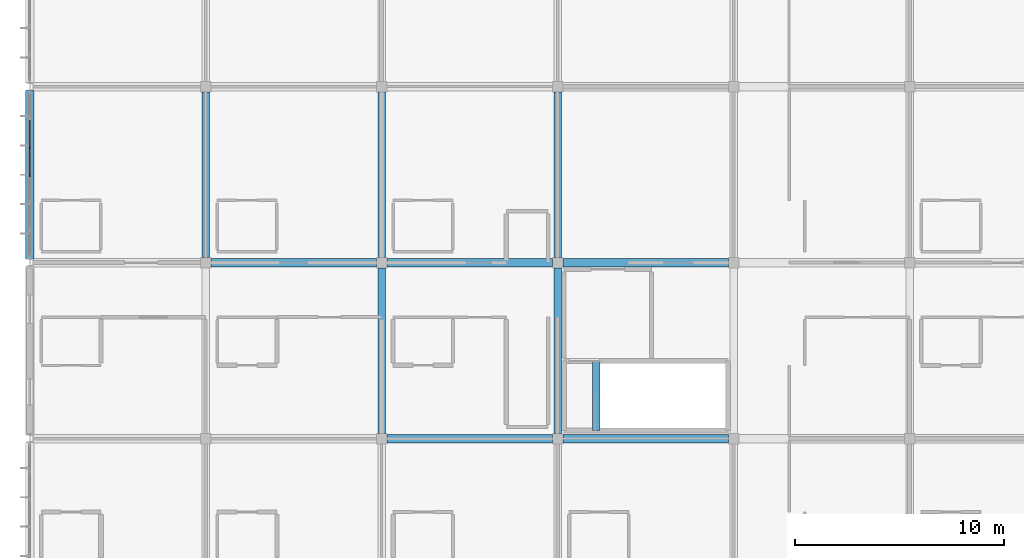
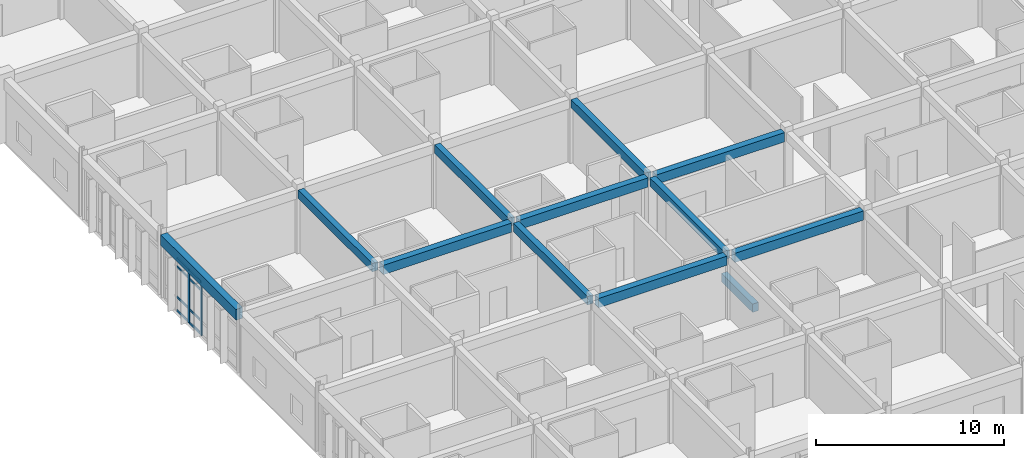
# One storey, part 12 of 144: 12 beams, 10 members, 1 element without a shape of its own.
"""IFC4 building model written with IfcOpenShell, lengths in metres."""

import ifcopenshell
import ifcopenshell.guid

model = None  # the IFC model being written
_history = None  # IfcOwnerHistory: only IFC2X3 demands one
_inside = {}  # id of a spatial element -> (the spatial element, [elements in it])
_under = {}  # id of a project, library or spatial element -> (it, [spatial elements below it])
_declared = {}  # id of a project -> (the project, [libraries it declares])
_typed = {}  # id of a type object -> (the type object, [elements of that type])
_made_of = {}  # id of a material, layer set ... -> (it, [elements and type objects made of it])


def new_model(schema):
    """Start an empty IFC model of exactly this schema.

    Asked for "IFC4X3", IfcOpenShell would pick the latest addendum, in which some entities
    have other attributes; the version numbers below select the first issue.
    IFC2X3 requires an IfcOwnerHistory on every rooted entity: one is made here for all.
    """
    global model, _history
    if schema == "IFC4X3":
        model = ifcopenshell.file(schema_version=(4, 3, 0, 0))
    else:
        model = ifcopenshell.file(schema=schema)
    _inside.clear()
    _under.clear()
    _declared.clear()
    _typed.clear()
    _made_of.clear()
    _history = None
    if model.schema == "IFC2X3":
        org = make("IfcOrganization", Name="unknown")
        user = make(
            "IfcPersonAndOrganization",
            ThePerson=make("IfcPerson", FamilyName="unknown"),
            TheOrganization=org,
        )
        app = make(
            "IfcApplication",
            ApplicationDeveloper=org,
            Version="unknown",
            ApplicationFullName="unknown",
            ApplicationIdentifier="unknown",
        )
        _history = make(
            "IfcOwnerHistory",
            OwningUser=user,
            OwningApplication=app,
            ChangeAction="ADDED",
            CreationDate=0,
        )
    return model


def make(cls, **values):
    """One entity of the class cls with the attributes given. An attribute that is None is left unset."""
    return model.create_entity(
        cls, **{name: value for name, value in values.items() if value is not None}
    )


def rooted(cls, **values):
    """An entity with a GlobalId (a new one), such as an element, a storey or a relation."""
    return make(cls, GlobalId=ifcopenshell.guid.new(), OwnerHistory=_history, **values)


def si_unit(unit_type, name, prefix=None):
    """IfcSIUnit, for example si_unit("LENGTHUNIT", "METRE", prefix="MILLI")."""
    return make("IfcSIUnit", UnitType=unit_type, Prefix=prefix, Name=name)


def assignment(units):
    """IfcUnitAssignment: the units of a project."""
    return None if units is None else make("IfcUnitAssignment", Units=units)


def point(xyz):
    """IfcCartesianPoint."""
    return None if xyz is None else make("IfcCartesianPoint", Coordinates=xyz)


def direction(xyz):
    """IfcDirection."""
    return None if xyz is None else make("IfcDirection", DirectionRatios=xyz)


def frame(location, z_axis=None, x_axis=None):
    """IfcAxis2Placement3D, a coordinate frame: its origin and axes. An axis left out is left unset."""
    return make(
        "IfcAxis2Placement3D",
        Location=point(location),
        Axis=direction(z_axis),
        RefDirection=direction(x_axis),
    )


def frame_2d(location, x_axis=None):
    """IfcAxis2Placement2D, a coordinate frame in the plane: its origin and x axis."""
    return make(
        "IfcAxis2Placement2D", Location=point(location), RefDirection=direction(x_axis)
    )


def origin():
    """The frame at (0, 0, 0) with its axes left unset."""
    return frame((0.0, 0.0, 0.0))


def origin_2d():
    """The frame at (0, 0) in the plane with its x axis left unset."""
    return frame_2d((0.0, 0.0))


def place(relative_to, where):
    """IfcLocalPlacement: puts the frame where relative to a parent placement (None: the world)."""
    return make(
        "IfcLocalPlacement", PlacementRelTo=relative_to, RelativePlacement=where
    )


def context(
    kind, dimensions, precision=None, world=None, true_north=None, identifier=None
):
    """IfcGeometricRepresentationContext, for example the 3D "Model" context."""
    return make(
        "IfcGeometricRepresentationContext",
        ContextIdentifier=identifier,
        ContextType=kind,
        CoordinateSpaceDimension=dimensions,
        Precision=precision,
        WorldCoordinateSystem=world,
        TrueNorth=true_north,
    )


def subcontext(parent, identifier, kind, view, scale=None):
    """IfcGeometricRepresentationSubContext, for example "Body" below "Model"."""
    return make(
        "IfcGeometricRepresentationSubContext",
        ContextIdentifier=identifier,
        ContextType=kind,
        ParentContext=parent,
        TargetScale=scale,
        TargetView=view,
    )


def project(units=None, contexts=None):
    """IfcProject with its units and contexts."""
    return rooted(
        "IfcProject",
        Name="project",
        RepresentationContexts=contexts,
        UnitsInContext=assignment(units),
    )


def spatial(cls, under=None, at=None, **own):
    """A site, building, storey or space (cls), placed at a placement, below another one or the project."""
    s = rooted(cls, ObjectPlacement=at, **own)
    if under is not None:
        _under.setdefault(under.id(), (under, []))[1].append(s)
    return s


def profile(cls, at=None, kind="AREA", **sizes):
    """A parametric profile (cls). Its sizes go by their IFC names, for example OverallWidth=200.0."""
    return make(cls, ProfileType=kind, Position=at, **sizes)


def rectangle(**sizes):
    """IfcRectangleProfileDef."""
    return profile("IfcRectangleProfileDef", **sizes)


def extrude(swept, where, along, depth):
    """IfcExtrudedAreaSolid: the profile swept, set in the frame where, extruded along a direction by depth."""
    return make(
        "IfcExtrudedAreaSolid",
        SweptArea=swept,
        Position=where,
        ExtrudedDirection=direction(along),
        Depth=depth,
    )


def shape(context_of_items, identifier, shape_type, items):
    """IfcShapeRepresentation: the items that make up one representation, for example the "Body"."""
    return make(
        "IfcShapeRepresentation",
        ContextOfItems=context_of_items,
        RepresentationIdentifier=identifier,
        RepresentationType=shape_type,
        Items=items,
    )


def material(Name=None, Category=None):
    """IfcMaterial."""
    return make("IfcMaterial", Name=Name, Category=Category)


def layer(
    of_material, thickness, ventilated=None, Name=None, Category=None, Priority=None
):
    """IfcMaterialLayer: one layer of a wall or slab, of a material (None: an air gap)."""
    return make(
        "IfcMaterialLayer",
        Material=of_material,
        LayerThickness=thickness,
        IsVentilated=ventilated,
        Name=Name,
        Category=Category,
        Priority=Priority,
    )


def layer_set(layers, Name=None):
    """IfcMaterialLayerSet."""
    return make("IfcMaterialLayerSet", MaterialLayers=layers, LayerSetName=Name)


def material_profile(
    of_material, cross_section, Name=None, Category=None, Priority=None
):
    """IfcMaterialProfile: a cross section and its material."""
    return make(
        "IfcMaterialProfile",
        Name=Name,
        Material=of_material,
        Profile=cross_section,
        Priority=Priority,
        Category=Category,
    )


def profile_set(profiles, Name=None, composite=None):
    """IfcMaterialProfileSet."""
    return make(
        "IfcMaterialProfileSet",
        Name=Name,
        MaterialProfiles=profiles,
        CompositeProfile=composite,
    )


def made_of(thing, what):
    """Note that an element or type object is made of a material, layer set ...; save() writes the relation."""
    if what is not None:
        _made_of.setdefault(what.id(), (what, []))[1].append(thing)
    return thing


def type_object(cls, material=None, **own):
    """A type object (cls), such as IfcWallType, which elements share."""
    return made_of(rooted(cls, **own), material)


def element(
    cls,
    number,
    at=None,
    inside=None,
    cuts=None,
    type_object=None,
    material=None,
    context=None,
    identifier="Body",
    shape_type=None,
    held_by="IfcProductDefinitionShape",
    body=None,
    shapes=None,
    **own,
):
    """One element of the class cls, such as IfcWall. Its Tag is "e" and its number.

    at: its placement. inside: the storey or other place that contains it. cuts: it is an
    opening in that element (IfcRelVoidsElement). A single representation is given by context,
    identifier, shape_type and body (its items); several are given by shapes. held_by: the class
    of the entity that holds the representations. save() writes the other relations.
    """
    e = rooted(cls, Tag="e%d" % number, ObjectPlacement=at, **own)
    if body is not None:
        shapes = [shape(context, identifier, shape_type, body)]
    if shapes is not None:
        e.Representation = make(held_by, Representations=shapes)
    if inside is not None:
        _inside.setdefault(inside.id(), (inside, []))[1].append(e)
    if cuts is not None:
        rooted(
            "IfcRelVoidsElement", RelatingBuildingElement=cuts, RelatedOpeningElement=e
        )
    if type_object is not None:
        _typed.setdefault(type_object.id(), (type_object, []))[1].append(e)
    return made_of(e, material)


def aggregate(whole, parts):
    """IfcRelAggregates: a whole, such as a stair, and the parts it consists of."""
    return rooted("IfcRelAggregates", RelatingObject=whole, RelatedObjects=parts)


def save(model, path):
    """Write the relations noted so far, then the file.

    IfcRelAggregates (storeys below a building ...), IfcRelContainedInSpatialStructure (elements
    in a storey), IfcRelDefinesByType, IfcRelAssociatesMaterial and IfcRelDeclares: one each for
    every whole, place, type object, material and project.
    """
    for whole, parts in _under.values():
        aggregate(whole, parts)
    for where, things in _inside.values():
        rooted(
            "IfcRelContainedInSpatialStructure",
            RelatedElements=things,
            RelatingStructure=where,
        )
    for kind, things in _typed.values():
        rooted("IfcRelDefinesByType", RelatedObjects=things, RelatingType=kind)
    for what, things in _made_of.values():
        rooted("IfcRelAssociatesMaterial", RelatedObjects=things, RelatingMaterial=what)
    for by, libraries in _declared.values():
        rooted("IfcRelDeclares", RelatingContext=by, RelatedDefinitions=libraries)
    model.write(path)


model = new_model("IFC4")

# Units and contexts
model_context = context("Model", 3, precision=1e-05, world=origin(), true_north=direction((0.0, 1.0)))
body_context = subcontext(model_context, "Body", "Model", "MODEL_VIEW")
ifc_project = project(units=[si_unit("LENGTHUNIT", "METRE"), si_unit("AREAUNIT", "SQUARE_METRE"), si_unit("VOLUMEUNIT", "CUBIC_METRE"), si_unit("PLANEANGLEUNIT", "RADIAN"), si_unit("MASSUNIT", "GRAM", prefix="KILO")], contexts=[model_context])

# Site, building, storey
site_placement = place(None, origin())
site = spatial("IfcSite", under=ifc_project, at=site_placement, CompositionType="ELEMENT")
building_placement = place(site_placement, origin())
building = spatial("IfcBuilding", under=site, at=building_placement, Name="Bramfleet General Hospital", CompositionType="ELEMENT")
storey_placement = place(building_placement, frame((0.0, 0.0, 4.800048828125)))
storey = spatial("IfcBuildingStorey", under=building, at=storey_placement, Name="L01", CompositionType="ELEMENT", Elevation=4.800048828125)

# Beams
ifc_material_1 = material(Name="Concrete C35/45", Category="concrete")
ifc_material_profile_1 = material_profile(ifc_material_1, rectangle(XDim=0.35009765625, YDim=0.550048828125, at=origin_2d()), Name="RC BM 550x350")
ifc_profile_set_1 = profile_set([ifc_material_profile_1], Name="Concrete C35/45")
beam_type_1 = type_object("IfcBeamType", Name="BM-RC550", PredefinedType="BEAM", material=ifc_profile_set_1)
beam_1_placement = place(storey_placement, frame((8.39990234375, 25.449951171875, 3.875), z_axis=(0.0, 1.0, 0.0), x_axis=(-1.0, 0.0, 0.0)))
element("IfcBeam", 1, at=beam_1_placement, inside=storey, type_object=beam_type_1, Name="L01 Grid Beam Y 01-03", PredefinedType="BEAM", context=body_context, shape_type="SweptSolid", body=[
    extrude(rectangle(XDim=0.35009765625, YDim=0.550048828125, at=origin_2d()), origin(), (0.0, 0.0, 1.0), 7.900146484375),
])
beam_2_placement = place(storey_placement, frame((16.800048828125, 17.050048828125, 3.875), z_axis=(0.0, 1.0, 0.0), x_axis=(-1.0, 0.0, 0.0)))
element("IfcBeam", 2, at=beam_2_placement, inside=storey, type_object=beam_type_1, Name="L01 Grid Beam Y 02-02", PredefinedType="BEAM", context=body_context, shape_type="SweptSolid", body=[
    extrude(rectangle(XDim=0.35009765625, YDim=0.550048828125, at=origin_2d()), origin(), (0.0, 0.0, 1.0), 7.89990234375),
])
beam_3_placement = place(storey_placement, frame((16.800048828125, 25.449951171875, 3.875), z_axis=(0.0, 1.0, 0.0), x_axis=(-1.0, 0.0, 0.0)))
element("IfcBeam", 3, at=beam_3_placement, inside=storey, type_object=beam_type_1, Name="L01 Grid Beam Y 02-03", PredefinedType="BEAM", context=body_context, shape_type="SweptSolid", body=[
    extrude(rectangle(XDim=0.35009765625, YDim=0.550048828125, at=origin_2d()), origin(), (0.0, 0.0, 1.0), 7.900146484375),
])
beam_4_placement = place(storey_placement, frame((25.199951171875, 17.050048828125, 3.875), z_axis=(0.0, 1.0, 0.0), x_axis=(-1.0, 0.0, 0.0)))
element("IfcBeam", 4, at=beam_4_placement, inside=storey, type_object=beam_type_1, Name="L01 Grid Beam Y 03-02", PredefinedType="BEAM", context=body_context, shape_type="SweptSolid", body=[
    extrude(rectangle(XDim=0.35009765625, YDim=0.550048828125, at=origin_2d()), origin(), (0.0, 0.0, 1.0), 7.89990234375),
])
beam_5_placement = place(storey_placement, frame((25.199951171875, 25.449951171875, 3.875), z_axis=(0.0, 1.0, 0.0), x_axis=(-1.0, 0.0, 0.0)))
element("IfcBeam", 5, at=beam_5_placement, inside=storey, type_object=beam_type_1, Name="L01 Grid Beam Y 03-03", PredefinedType="BEAM", context=body_context, shape_type="SweptSolid", body=[
    extrude(rectangle(XDim=0.35009765625, YDim=0.550048828125, at=origin_2d()), origin(), (0.0, 0.0, 1.0), 7.900146484375),
])
beam_6_placement = place(storey_placement, frame((27.0400390625, 17.179931640625, -0.275146484375), z_axis=(0.0, 1.0, 0.0), x_axis=(-1.0, 0.0, 0.0)))
element("IfcBeam", 6, at=beam_6_placement, inside=storey, type_object=beam_type_1, Name="L01 C7 Stairwell Trimmer Beam", PredefinedType="BEAM", context=body_context, shape_type="SweptSolid", body=[
    extrude(rectangle(XDim=0.35009765625, YDim=0.550048828125, at=origin_2d()), origin(), (0.0, 0.0, 1.0), 3.320068359375),
])
ifc_material_profile_2 = material_profile(ifc_material_1, rectangle(XDim=0.39990234375, YDim=0.60009765625, at=origin_2d()), Name="RC BM 600x400")
ifc_profile_set_2 = profile_set([ifc_material_profile_2], Name="Concrete C35/45")
beam_type_2 = type_object("IfcBeamType", Name="BM-RC600", PredefinedType="BEAM", material=ifc_profile_set_2)
beam_7_placement = place(storey_placement, frame((8.64990234375, 25.199951171875, 3.849853515625), z_axis=(1.0, 0.0, 0.0), x_axis=(0.0, 1.0, 0.0)))
element("IfcBeam", 7, at=beam_7_placement, inside=storey, type_object=beam_type_2, Name="L01 Grid Beam X 01-03", PredefinedType="BEAM", context=body_context, shape_type="SweptSolid", body=[
    extrude(rectangle(XDim=0.39990234375, YDim=0.60009765625, at=origin_2d()), origin(), (0.0, 0.0, 1.0), 7.900146484375),
])
for number, where, z_axis, x_axis, name in (
    (8, (17.050048828125, 16.800048828125, 3.849853515625), (1.0, 0.0, 0.0), (0.0, 1.0, 0.0), "L01 Grid Beam X 02-02"),
    (9, (17.050048828125, 25.199951171875, 3.849853515625), (1.0, 0.0, 0.0), (0.0, 1.0, 0.0), "L01 Grid Beam X 02-03"),
):
    element("IfcBeam", number, at=place(storey_placement, frame(where, z_axis=z_axis, x_axis=x_axis)), inside=storey, type_object=beam_type_2, Name=name, PredefinedType="BEAM", context=body_context, shape_type="SweptSolid", body=[
        extrude(rectangle(XDim=0.39990234375, YDim=0.60009765625, at=origin_2d()), origin(), (0.0, 0.0, 1.0), 7.89990234375),
    ])
for number, where, z_axis, x_axis, name in (
    (10, (25.449951171875, 16.800048828125, 3.849853515625), (1.0, 0.0, 0.0), (0.0, 1.0, 0.0), "L01 Grid Beam X 03-02"),
    (11, (25.449951171875, 25.199951171875, 3.849853515625), (1.0, 0.0, 0.0), (0.0, 1.0, 0.0), "L01 Grid Beam X 03-03"),
):
    element("IfcBeam", number, at=place(storey_placement, frame(where, z_axis=z_axis, x_axis=x_axis)), inside=storey, type_object=beam_type_2, Name=name, PredefinedType="BEAM", context=body_context, shape_type="SweptSolid", body=[
        extrude(rectangle(XDim=0.39990234375, YDim=0.60009765625, at=origin_2d()), origin(), (0.0, 0.0, 1.0), 7.900146484375),
    ])
ifc_material_profile_3 = material_profile(ifc_material_1, rectangle(XDim=0.39990234375, YDim=0.699951171875, at=origin_2d()), Name="RC SP 700x400")
ifc_profile_set_3 = profile_set([ifc_material_profile_3], Name="Concrete C35/45")
beam_type_3 = type_object("IfcBeamType", Name="BM-SP700", PredefinedType="SPANDREL", material=ifc_profile_set_3)
beam_8_placement = place(storey_placement, frame((0.0, 25.3798828125, 3.800048828125), z_axis=(0.0, 1.0, 0.0), x_axis=(-1.0, 0.0, 0.0)))
element("IfcBeam", 12, at=beam_8_placement, inside=storey, type_object=beam_type_3, Name="L01 Grid Beam Y 00-03", PredefinedType="SPANDREL", context=body_context, shape_type="SweptSolid", body=[
    extrude(rectangle(XDim=0.39990234375, YDim=0.699951171875, at=origin_2d()), origin(), (0.0, 0.0, 1.0), 8.0400390625),
])

# Curtain wall, members
ifc_material_2 = material(Name="Anodised aluminium and low-E triple glazing", Category="aluminium")
ifc_layer = layer(ifc_material_2, 0.179931640625, Name="CWT-CW-01")
ifc_layer_set = layer_set([ifc_layer], Name="Anodised aluminium and low-E triple glazing")
curtain_wall_type = type_object("IfcCurtainWallType", Name="CWT-CW-01", PredefinedType="USERDEFINED", material=ifc_layer_set)
curtain_wall_placement = place(storey_placement, origin())
curtain_wall = element("IfcCurtainWall", 13, at=curtain_wall_placement, inside=storey, type_object=curtain_wall_type, Name="L01 Curtain Wall 91", ObjectType="Unitised curtain wall", PredefinedType="USERDEFINED")
ifc_material_3 = material(Name="Structural timber GL28h", Category="wood")
ifc_material_profile_4 = material_profile(ifc_material_3, rectangle(XDim=0.070068359375, YDim=0.18994140625, at=origin_2d()), Name="LARCH 190x70")
ifc_profile_set_4 = profile_set([ifc_material_profile_4], Name="Structural timber GL28h")
member_type_1 = type_object("IfcMemberType", Name="CWM-LARCH450", PredefinedType="MULLION", material=ifc_profile_set_4)
member_1_placement = place(storey_placement, frame((0.0, 29.39990234375, 0.0), z_axis=(0.0, 0.0, 1.0), x_axis=(-1.0, 0.0, 0.0)))
member_1 = element("IfcMember", 14, at=member_1_placement, type_object=member_type_1, Name="CW-01 mullion 4", PredefinedType="MULLION", context=body_context, shape_type="SweptSolid", body=[
    extrude(rectangle(XDim=0.070068359375, YDim=0.18994140625, at=origin_2d()), origin(), (0.0, 0.0, 1.0), 3.43994140625),
])
member_2_placement = place(storey_placement, frame((0.0, 30.715087890625, 0.0), z_axis=(0.0, 0.0, 1.0), x_axis=(-1.0, 0.0, 0.0)))
member_2 = element("IfcMember", 15, at=member_2_placement, type_object=member_type_1, Name="CW-01 mullion 5", PredefinedType="MULLION", context=body_context, shape_type="SweptSolid", body=[
    extrude(rectangle(XDim=0.070068359375, YDim=0.18994140625, at=origin_2d()), origin(), (0.0, 0.0, 1.0), 3.43994140625),
])
ifc_material_profile_5 = material_profile(ifc_material_3, rectangle(XDim=0.06494140625, YDim=0.14990234375, at=origin_2d()), Name="LARCH 150x65")
ifc_profile_set_5 = profile_set([ifc_material_profile_5], Name="Structural timber GL28h")
member_type_2 = type_object("IfcMemberType", Name="CWT-LARCH220", PredefinedType="USERDEFINED", material=ifc_profile_set_5)
member_3_placement = place(storey_placement, frame((0.0, 29.43505859375, 0.032470703125), z_axis=(0.0, 1.0, 0.0), x_axis=(-1.0, 0.0, 0.0)))
member_3 = element("IfcMember", 16, at=member_3_placement, type_object=member_type_2, Name="CW-01 transom 4.1", ObjectType="TRANSOM", PredefinedType="USERDEFINED", context=body_context, shape_type="SweptSolid", body=[
    extrude(rectangle(XDim=0.06494140625, YDim=0.14990234375, at=origin_2d()), origin(), (0.0, 0.0, 1.0), 1.244873046875),
])
member_4_placement = place(storey_placement, frame((0.0, 29.43505859375, 0.89990234375), z_axis=(0.0, 1.0, 0.0), x_axis=(-1.0, 0.0, 0.0)))
member_4 = element("IfcMember", 17, at=member_4_placement, type_object=member_type_2, Name="CW-01 transom 4.2", ObjectType="TRANSOM", PredefinedType="USERDEFINED", context=body_context, shape_type="SweptSolid", body=[
    extrude(rectangle(XDim=0.06494140625, YDim=0.14990234375, at=origin_2d()), origin(), (0.0, 0.0, 1.0), 1.244873046875),
])
member_5_placement = place(storey_placement, frame((0.0, 29.43505859375, 2.889892578125), z_axis=(0.0, 1.0, 0.0), x_axis=(-1.0, 0.0, 0.0)))
member_5 = element("IfcMember", 18, at=member_5_placement, type_object=member_type_2, Name="CW-01 transom 4.3", ObjectType="TRANSOM", PredefinedType="USERDEFINED", context=body_context, shape_type="SweptSolid", body=[
    extrude(rectangle(XDim=0.06494140625, YDim=0.14990234375, at=origin_2d()), origin(), (0.0, 0.0, 1.0), 1.244873046875),
])
member_6_placement = place(storey_placement, frame((0.0, 29.43505859375, 3.407470703125), z_axis=(0.0, 1.0, 0.0), x_axis=(-1.0, 0.0, 0.0)))
member_6 = element("IfcMember", 19, at=member_6_placement, type_object=member_type_2, Name="CW-01 transom 4.4", ObjectType="TRANSOM", PredefinedType="USERDEFINED", context=body_context, shape_type="SweptSolid", body=[
    extrude(rectangle(XDim=0.06494140625, YDim=0.14990234375, at=origin_2d()), origin(), (0.0, 0.0, 1.0), 1.244873046875),
])
member_7_placement = place(storey_placement, frame((0.0, 30.75, 0.032470703125), z_axis=(0.0, 1.0, 0.0), x_axis=(-1.0, 0.0, 0.0)))
member_7 = element("IfcMember", 20, at=member_7_placement, type_object=member_type_2, Name="CW-01 transom 5.1", ObjectType="TRANSOM", PredefinedType="USERDEFINED", context=body_context, shape_type="SweptSolid", body=[
    extrude(rectangle(XDim=0.06494140625, YDim=0.14990234375, at=origin_2d()), origin(), (0.0, 0.0, 1.0), 1.2451171875),
])
member_8_placement = place(storey_placement, frame((0.0, 30.75, 0.89990234375), z_axis=(0.0, 1.0, 0.0), x_axis=(-1.0, 0.0, 0.0)))
member_8 = element("IfcMember", 21, at=member_8_placement, type_object=member_type_2, Name="CW-01 transom 5.2", ObjectType="TRANSOM", PredefinedType="USERDEFINED", context=body_context, shape_type="SweptSolid", body=[
    extrude(rectangle(XDim=0.06494140625, YDim=0.14990234375, at=origin_2d()), origin(), (0.0, 0.0, 1.0), 1.2451171875),
])
member_9_placement = place(storey_placement, frame((0.0, 30.75, 2.889892578125), z_axis=(0.0, 1.0, 0.0), x_axis=(-1.0, 0.0, 0.0)))
member_9 = element("IfcMember", 22, at=member_9_placement, type_object=member_type_2, Name="CW-01 transom 5.3", ObjectType="TRANSOM", PredefinedType="USERDEFINED", context=body_context, shape_type="SweptSolid", body=[
    extrude(rectangle(XDim=0.06494140625, YDim=0.14990234375, at=origin_2d()), origin(), (0.0, 0.0, 1.0), 1.2451171875),
])
member_10_placement = place(storey_placement, frame((0.0, 30.75, 3.407470703125), z_axis=(0.0, 1.0, 0.0), x_axis=(-1.0, 0.0, 0.0)))
member_10 = element("IfcMember", 23, at=member_10_placement, type_object=member_type_2, Name="CW-01 transom 5.4", ObjectType="TRANSOM", PredefinedType="USERDEFINED", context=body_context, shape_type="SweptSolid", body=[
    extrude(rectangle(XDim=0.06494140625, YDim=0.14990234375, at=origin_2d()), origin(), (0.0, 0.0, 1.0), 1.2451171875),
])
aggregate(curtain_wall, [member_1, member_2, member_3, member_4, member_5, member_6, member_7, member_8, member_9, member_10])

save(model, "model.ifc")
